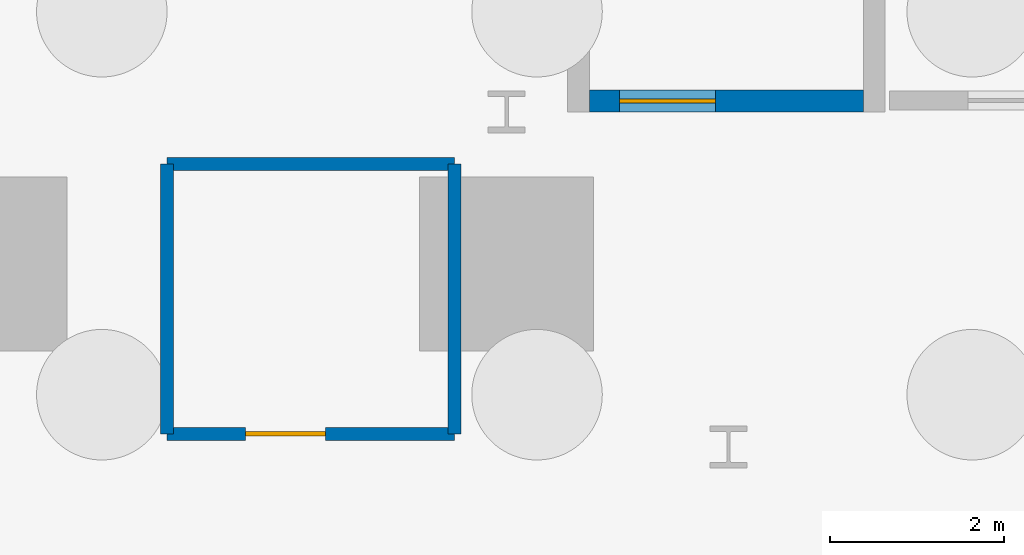
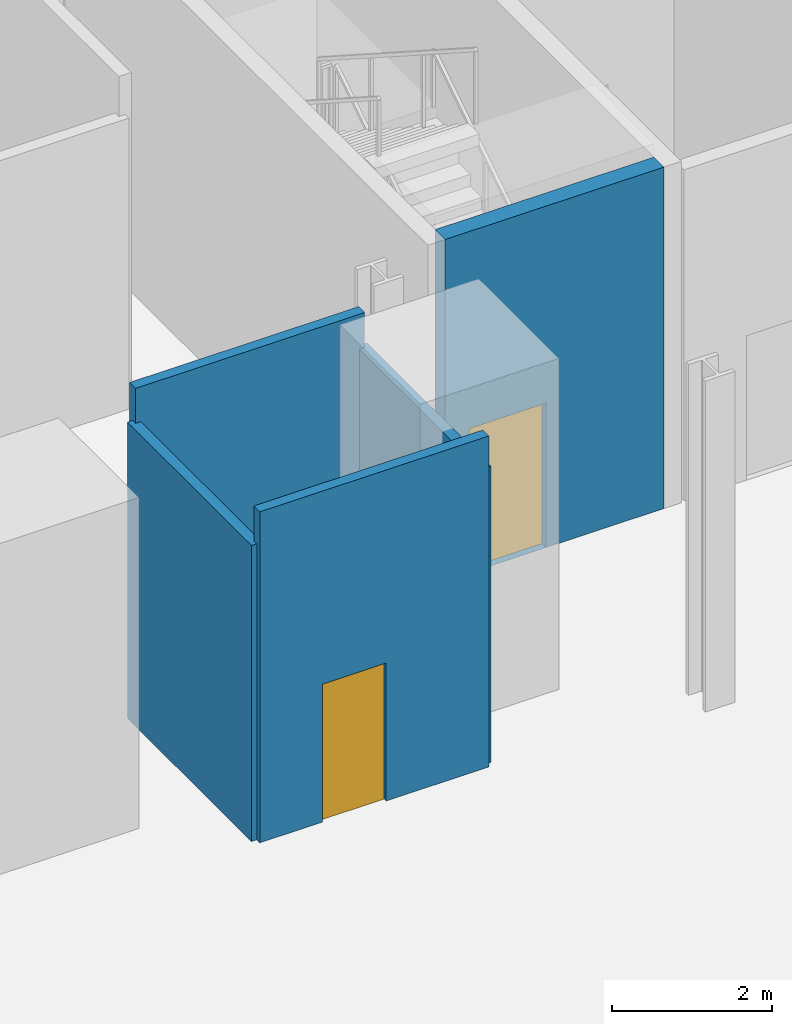
# One storey, part 4 of 14: 5 walls, 2 doors, 2 openings.
"""IFC4 building model written with IfcOpenShell, lengths in metres."""

import ifcopenshell
import ifcopenshell.guid

model = None  # the IFC model being written
_history = None  # IfcOwnerHistory: only IFC2X3 demands one
_inside = {}  # id of a spatial element -> (the spatial element, [elements in it])
_under = {}  # id of a project, library or spatial element -> (it, [spatial elements below it])
_declared = {}  # id of a project -> (the project, [libraries it declares])
_typed = {}  # id of a type object -> (the type object, [elements of that type])
_made_of = {}  # id of a material, layer set ... -> (it, [elements and type objects made of it])


def new_model(schema):
    """Start an empty IFC model of exactly this schema.

    Asked for "IFC4X3", IfcOpenShell would pick the latest addendum, in which some entities
    have other attributes; the version numbers below select the first issue.
    IFC2X3 requires an IfcOwnerHistory on every rooted entity: one is made here for all.
    """
    global model, _history
    if schema == "IFC4X3":
        model = ifcopenshell.file(schema_version=(4, 3, 0, 0))
    else:
        model = ifcopenshell.file(schema=schema)
    _inside.clear()
    _under.clear()
    _declared.clear()
    _typed.clear()
    _made_of.clear()
    _history = None
    if model.schema == "IFC2X3":
        org = make("IfcOrganization", Name="unknown")
        user = make(
            "IfcPersonAndOrganization",
            ThePerson=make("IfcPerson", FamilyName="unknown"),
            TheOrganization=org,
        )
        app = make(
            "IfcApplication",
            ApplicationDeveloper=org,
            Version="unknown",
            ApplicationFullName="unknown",
            ApplicationIdentifier="unknown",
        )
        _history = make(
            "IfcOwnerHistory",
            OwningUser=user,
            OwningApplication=app,
            ChangeAction="ADDED",
            CreationDate=0,
        )
    return model


def make(cls, **values):
    """One entity of the class cls with the attributes given. An attribute that is None is left unset."""
    return model.create_entity(
        cls, **{name: value for name, value in values.items() if value is not None}
    )


def rooted(cls, **values):
    """An entity with a GlobalId (a new one), such as an element, a storey or a relation."""
    return make(cls, GlobalId=ifcopenshell.guid.new(), OwnerHistory=_history, **values)


def si_unit(unit_type, name, prefix=None):
    """IfcSIUnit, for example si_unit("LENGTHUNIT", "METRE", prefix="MILLI")."""
    return make("IfcSIUnit", UnitType=unit_type, Prefix=prefix, Name=name)


def assignment(units):
    """IfcUnitAssignment: the units of a project."""
    return None if units is None else make("IfcUnitAssignment", Units=units)


def point(xyz):
    """IfcCartesianPoint."""
    return None if xyz is None else make("IfcCartesianPoint", Coordinates=xyz)


def direction(xyz):
    """IfcDirection."""
    return None if xyz is None else make("IfcDirection", DirectionRatios=xyz)


def frame(location, z_axis=None, x_axis=None):
    """IfcAxis2Placement3D, a coordinate frame: its origin and axes. An axis left out is left unset."""
    return make(
        "IfcAxis2Placement3D",
        Location=point(location),
        Axis=direction(z_axis),
        RefDirection=direction(x_axis),
    )


def frame_2d(location, x_axis=None):
    """IfcAxis2Placement2D, a coordinate frame in the plane: its origin and x axis."""
    return make(
        "IfcAxis2Placement2D", Location=point(location), RefDirection=direction(x_axis)
    )


def origin():
    """The frame at (0, 0, 0) with its axes left unset."""
    return frame((0.0, 0.0, 0.0))


def place(relative_to, where):
    """IfcLocalPlacement: puts the frame where relative to a parent placement (None: the world)."""
    return make(
        "IfcLocalPlacement", PlacementRelTo=relative_to, RelativePlacement=where
    )


def context(
    kind, dimensions, precision=None, world=None, true_north=None, identifier=None
):
    """IfcGeometricRepresentationContext, for example the 3D "Model" context."""
    return make(
        "IfcGeometricRepresentationContext",
        ContextIdentifier=identifier,
        ContextType=kind,
        CoordinateSpaceDimension=dimensions,
        Precision=precision,
        WorldCoordinateSystem=world,
        TrueNorth=true_north,
    )


def subcontext(parent, identifier, kind, view, scale=None):
    """IfcGeometricRepresentationSubContext, for example "Body" below "Model"."""
    return make(
        "IfcGeometricRepresentationSubContext",
        ContextIdentifier=identifier,
        ContextType=kind,
        ParentContext=parent,
        TargetScale=scale,
        TargetView=view,
    )


def project(units=None, contexts=None):
    """IfcProject with its units and contexts."""
    return rooted(
        "IfcProject",
        Name="project",
        RepresentationContexts=contexts,
        UnitsInContext=assignment(units),
    )


def spatial(cls, under=None, at=None, **own):
    """A site, building, storey or space (cls), placed at a placement, below another one or the project."""
    s = rooted(cls, ObjectPlacement=at, **own)
    if under is not None:
        _under.setdefault(under.id(), (under, []))[1].append(s)
    return s


def profile(cls, at=None, kind="AREA", **sizes):
    """A parametric profile (cls). Its sizes go by their IFC names, for example OverallWidth=200.0."""
    return make(cls, ProfileType=kind, Position=at, **sizes)


def rectangle(**sizes):
    """IfcRectangleProfileDef."""
    return profile("IfcRectangleProfileDef", **sizes)


def extrude(swept, where, along, depth):
    """IfcExtrudedAreaSolid: the profile swept, set in the frame where, extruded along a direction by depth."""
    return make(
        "IfcExtrudedAreaSolid",
        SweptArea=swept,
        Position=where,
        ExtrudedDirection=direction(along),
        Depth=depth,
    )


def shape(context_of_items, identifier, shape_type, items):
    """IfcShapeRepresentation: the items that make up one representation, for example the "Body"."""
    return make(
        "IfcShapeRepresentation",
        ContextOfItems=context_of_items,
        RepresentationIdentifier=identifier,
        RepresentationType=shape_type,
        Items=items,
    )


def source(mapping_origin, context_of_items, identifier, shape_type, items):
    """IfcRepresentationMap: a shape defined once, which mapped items show again and again."""
    return make(
        "IfcRepresentationMap",
        MappingOrigin=mapping_origin,
        MappedRepresentation=shape(context_of_items, identifier, shape_type, items),
    )


def transform(
    local_origin,
    x_axis=None,
    y_axis=None,
    z_axis=None,
    scale=None,
    scale2=None,
    scale3=None,
    uniform=True,
):
    """IfcCartesianTransformationOperator3D, or its non-uniform kind. x_axis, y_axis, z_axis: its Axis1, 2, 3."""
    if uniform:
        return make(
            "IfcCartesianTransformationOperator3D",
            Axis1=direction(x_axis),
            Axis2=direction(y_axis),
            LocalOrigin=point(local_origin),
            Scale=scale,
            Axis3=direction(z_axis),
        )
    return make(
        "IfcCartesianTransformationOperator3DnonUniform",
        Axis1=direction(x_axis),
        Axis2=direction(y_axis),
        LocalOrigin=point(local_origin),
        Scale=scale,
        Axis3=direction(z_axis),
        Scale2=scale2,
        Scale3=scale3,
    )


def mapped(mapping_source, mapping_target):
    """IfcMappedItem: shows the shape of a source again, moved by a transform."""
    return make(
        "IfcMappedItem", MappingSource=mapping_source, MappingTarget=mapping_target
    )


def material(Name=None, Category=None):
    """IfcMaterial."""
    return make("IfcMaterial", Name=Name, Category=Category)


def layer(
    of_material, thickness, ventilated=None, Name=None, Category=None, Priority=None
):
    """IfcMaterialLayer: one layer of a wall or slab, of a material (None: an air gap)."""
    return make(
        "IfcMaterialLayer",
        Material=of_material,
        LayerThickness=thickness,
        IsVentilated=ventilated,
        Name=Name,
        Category=Category,
        Priority=Priority,
    )


def layer_set(layers, Name=None):
    """IfcMaterialLayerSet."""
    return make("IfcMaterialLayerSet", MaterialLayers=layers, LayerSetName=Name)


def made_of(thing, what):
    """Note that an element or type object is made of a material, layer set ...; save() writes the relation."""
    if what is not None:
        _made_of.setdefault(what.id(), (what, []))[1].append(thing)
    return thing


def type_object(cls, material=None, **own):
    """A type object (cls), such as IfcWallType, which elements share."""
    return made_of(rooted(cls, **own), material)


def element(
    cls,
    number,
    at=None,
    inside=None,
    cuts=None,
    type_object=None,
    material=None,
    context=None,
    identifier="Body",
    shape_type=None,
    held_by="IfcProductDefinitionShape",
    body=None,
    shapes=None,
    **own,
):
    """One element of the class cls, such as IfcWall. Its Tag is "e" and its number.

    at: its placement. inside: the storey or other place that contains it. cuts: it is an
    opening in that element (IfcRelVoidsElement). A single representation is given by context,
    identifier, shape_type and body (its items); several are given by shapes. held_by: the class
    of the entity that holds the representations. save() writes the other relations.
    """
    e = rooted(cls, Tag="e%d" % number, ObjectPlacement=at, **own)
    if body is not None:
        shapes = [shape(context, identifier, shape_type, body)]
    if shapes is not None:
        e.Representation = make(held_by, Representations=shapes)
    if inside is not None:
        _inside.setdefault(inside.id(), (inside, []))[1].append(e)
    if cuts is not None:
        rooted(
            "IfcRelVoidsElement", RelatingBuildingElement=cuts, RelatedOpeningElement=e
        )
    if type_object is not None:
        _typed.setdefault(type_object.id(), (type_object, []))[1].append(e)
    return made_of(e, material)


def fill(opening, filler):
    """IfcRelFillsElement: the door or window that sits in an opening."""
    return rooted(
        "IfcRelFillsElement",
        RelatingOpeningElement=opening,
        RelatedBuildingElement=filler,
    )


def aggregate(whole, parts):
    """IfcRelAggregates: a whole, such as a stair, and the parts it consists of."""
    return rooted("IfcRelAggregates", RelatingObject=whole, RelatedObjects=parts)


def save(model, path):
    """Write the relations noted so far, then the file.

    IfcRelAggregates (storeys below a building ...), IfcRelContainedInSpatialStructure (elements
    in a storey), IfcRelDefinesByType, IfcRelAssociatesMaterial and IfcRelDeclares: one each for
    every whole, place, type object, material and project.
    """
    for whole, parts in _under.values():
        aggregate(whole, parts)
    for where, things in _inside.values():
        rooted(
            "IfcRelContainedInSpatialStructure",
            RelatedElements=things,
            RelatingStructure=where,
        )
    for kind, things in _typed.values():
        rooted("IfcRelDefinesByType", RelatedObjects=things, RelatingType=kind)
    for what, things in _made_of.values():
        rooted("IfcRelAssociatesMaterial", RelatedObjects=things, RelatingMaterial=what)
    for by, libraries in _declared.values():
        rooted("IfcRelDeclares", RelatingContext=by, RelatedDefinitions=libraries)
    model.write(path)


model = new_model("IFC4")

# Units and contexts
model_context = context("Model", 3, precision=1e-05, world=origin(), true_north=direction((0.0, 1.0)))
body_context = subcontext(model_context, "Body", "Model", "MODEL_VIEW")
ifc_project = project(units=[si_unit("LENGTHUNIT", "METRE"), si_unit("AREAUNIT", "SQUARE_METRE"), si_unit("VOLUMEUNIT", "CUBIC_METRE"), si_unit("PLANEANGLEUNIT", "RADIAN"), si_unit("MASSUNIT", "GRAM", prefix="KILO")], contexts=[model_context])

# Site, building, storey
site_placement = place(None, origin())
site = spatial("IfcSite", under=ifc_project, at=site_placement, CompositionType="ELEMENT")
building_placement = place(site_placement, origin())
building = spatial("IfcBuilding", under=site, at=building_placement, Name="Vardaveli Station Tower", CompositionType="ELEMENT")
storey_placement = place(building_placement, frame((0.0, 0.0, -11.39990234375)))
storey = spatial("IfcBuildingStorey", under=building, at=storey_placement, Name="B02", CompositionType="ELEMENT", Elevation=-11.39990234375)

# Wall, opening, door
ifc_material_1 = material(Name="Concrete C40/50", Category="concrete")
ifc_layer_1 = layer(ifc_material_1, 0.25, Name="Concrete C40/50")
ifc_layer_set_1 = layer_set([ifc_layer_1], Name="Concrete C40/50")
wall_type_1 = type_object("IfcWallType", Name="WAL-SHAFT-250", PredefinedType="SOLIDWALL", material=ifc_layer_set_1)
shared_shape_1 = source(origin(), body_context, "Body", "SweptSolid", [
    extrude(rectangle(XDim=3.14990234375, YDim=0.25, at=frame_2d((1.574951171875, 0.0))), origin(), (0.0, 0.0, 1.0), 5.199951171875),
])
wall_1_placement = place(storey_placement, frame((29.60009765625, 30.77490234375, 0.0), z_axis=(0.0, 0.0, 1.0), x_axis=(1.0, 0.0, 0.0)))
wall_1 = element("IfcWall", 1, at=wall_1_placement, inside=storey, type_object=wall_type_1, Name="W-B02-ST-1S", PredefinedType="SOLIDWALL", context=body_context, shape_type="MappedRepresentation", body=[
    mapped(shared_shape_1, transform((0.0, 0.0, 0.0), scale=1.0)),
])
shared_shape_2 = source(origin(), body_context, "Body", "SweptSolid", [
    extrude(rectangle(XDim=1.10009765625, YDim=2.199951171875, at=frame_2d((0.550048828125, 1.10009765625))), frame((0.0, 0.135009765625, 0.0), z_axis=(0.0, -1.0, 0.0), x_axis=(1.0, 0.0, 0.0)), (0.0, 0.0, 1.0), 0.27001953125),
])
opening_1_placement = place(wall_1_placement, frame((0.35009765625, 0.0, 0.0)))
opening_1 = element("IfcOpeningElement", 2, at=opening_1_placement, cuts=wall_1, Name="Opening D-04", PredefinedType="OPENING", context=body_context, shape_type="MappedRepresentation", body=[
    mapped(shared_shape_2, transform((0.0, 0.0, 0.0), scale=1.0)),
])
ifc_material_2 = material(Name="Steel smokeproof fire doorset", Category="steel")
door_type_1 = type_object("IfcDoorType", Name="DR-ST-1100x2200", OperationType="NOTDEFINED", PredefinedType="DOOR", material=ifc_material_2)
shared_shape_3 = source(origin(), body_context, "Body", "SweptSolid", [
    extrude(rectangle(XDim=1.10009765625, YDim=2.199951171875, at=frame_2d((0.550048828125, 1.10009765625))), frame((0.0, 0.02490234375, 0.0), z_axis=(0.0, -1.0, 0.0), x_axis=(1.0, 0.0, 0.0)), (0.0, 0.0, 1.0), 0.050048828125),
])
door_1_placement = place(opening_1_placement, origin())
door_1 = element("IfcDoor", 3, at=door_1_placement, inside=storey, type_object=door_type_1, Name="DST-1-B02", OperationType="SINGLE_SWING_LEFT", OverallHeight=2.199951171875, OverallWidth=1.10009765625, PredefinedType="DOOR", context=body_context, shape_type="MappedRepresentation", body=[
    mapped(shared_shape_3, transform((0.0, 0.0, 0.0), scale=1.0)),
])
fill(opening_1, door_1)

ifc_material_3 = material(Name="Moisture-resistant stud partition")
ifc_layer_2 = layer(ifc_material_3, 0.14990234375, Name="Moisture-resistant stud partition")
ifc_layer_set_2 = layer_set([ifc_layer_2], Name="Moisture-resistant stud partition")
wall_type_2 = type_object("IfcWallType", Name="WAL-WET-150", PredefinedType="PARTITIONING", material=ifc_layer_set_2)
shared_shape_4 = source(origin(), body_context, "Body", "SweptSolid", [
    extrude(rectangle(XDim=3.300048828125, YDim=0.14990234375, at=frame_2d((1.64990234375, 0.0))), origin(), (0.0, 0.0, 1.0), 5.039794921875),
])
wall_2_placement = place(storey_placement, frame((24.75, 26.949951171875, 0.0), z_axis=(0.0, 0.0, 1.0), x_axis=(1.0, 0.0, 0.0)))
wall_2 = element("IfcWall", 4, at=wall_2_placement, inside=storey, type_object=wall_type_2, Name="W-B02-WCA-S", PredefinedType="PARTITIONING", context=body_context, shape_type="MappedRepresentation", body=[
    mapped(shared_shape_4, transform((0.0, 0.0, 0.0), scale=1.0)),
])
shared_shape_5 = source(origin(), body_context, "Body", "SweptSolid", [
    extrude(rectangle(XDim=0.919921875, YDim=2.10009765625, at=frame_2d((0.4599609375, 1.050048828125))), frame((0.0, 0.0849609375, 0.0), z_axis=(0.0, -1.0, 0.0), x_axis=(1.0, 0.0, 0.0)), (0.0, 0.0, 1.0), 0.169921875),
])
opening_2_placement = place(wall_2_placement, frame((0.89990234375, 0.0, 0.0)))
opening_2 = element("IfcOpeningElement", 5, at=opening_2_placement, cuts=wall_2, Name="Opening D-07", PredefinedType="OPENING", context=body_context, shape_type="MappedRepresentation", body=[
    mapped(shared_shape_5, transform((0.0, 0.0, 0.0), scale=1.0)),
])
ifc_material_4 = material(Name="Moisture-resistant hardwood door", Category="wood")
door_type_2 = type_object("IfcDoorType", Name="DR-WC-920x2100", OperationType="NOTDEFINED", PredefinedType="DOOR", material=ifc_material_4)
shared_shape_6 = source(origin(), body_context, "Body", "SweptSolid", [
    extrude(rectangle(XDim=0.919921875, YDim=2.10009765625, at=frame_2d((0.4599609375, 1.050048828125))), frame((0.0, 0.02490234375, 0.0), z_axis=(0.0, -1.0, 0.0), x_axis=(1.0, 0.0, 0.0)), (0.0, 0.0, 1.0), 0.050048828125),
])
door_2_placement = place(opening_2_placement, origin())
door_2 = element("IfcDoor", 6, at=door_2_placement, inside=storey, type_object=door_type_2, Name="D-B02-WCA", OperationType="SINGLE_SWING_RIGHT", OverallHeight=2.10009765625, OverallWidth=0.919921875, PredefinedType="DOOR", context=body_context, shape_type="MappedRepresentation", body=[
    mapped(shared_shape_6, transform((0.0, 0.0, 0.0), scale=1.0)),
])
fill(opening_2, door_2)

# Walls
wall_3_placement = place(storey_placement, frame((24.75, 30.050048828125, 0.0), z_axis=(0.0, 0.0, 1.0), x_axis=(1.0, 0.0, 0.0)))
element("IfcWall", 7, at=wall_3_placement, inside=storey, type_object=wall_type_2, Name="W-B02-WCA-N", PredefinedType="PARTITIONING", context=body_context, shape_type="MappedRepresentation", body=[
    mapped(shared_shape_4, transform((0.0, 0.0, 0.0), scale=1.0)),
])
shared_shape_7 = source(origin(), body_context, "Body", "SweptSolid", [
    extrude(rectangle(XDim=3.10009765625, YDim=0.14990234375, at=frame_2d((1.550048828125, 0.0))), origin(), (0.0, 0.0, 1.0), 4.5078125),
])
for number, where, z_axis, x_axis, name in (
    (8, (24.75, 26.949951171875, 0.0), (0.0, 0.0, 1.0), (0.0, 1.0, 0.0), "W-B02-WCA-W"),
    (9, (28.050048828125, 26.949951171875, 0.0), (0.0, 0.0, 1.0), (0.0, 1.0, 0.0), "W-B02-WCA-E"),
):
    element("IfcWall", number, at=place(storey_placement, frame(where, z_axis=z_axis, x_axis=x_axis)), inside=storey, type_object=wall_type_2, Name=name, PredefinedType="PARTITIONING", context=body_context, shape_type="MappedRepresentation", body=[
        mapped(shared_shape_7, transform((0.0, 0.0, 0.0), scale=1.0)),
    ])

save(model, "model.ifc")
